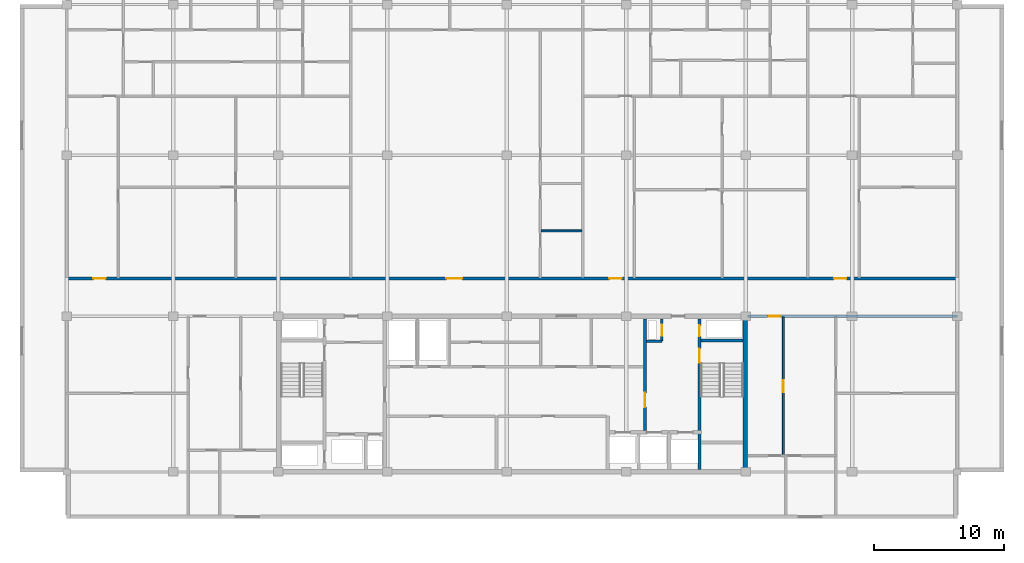
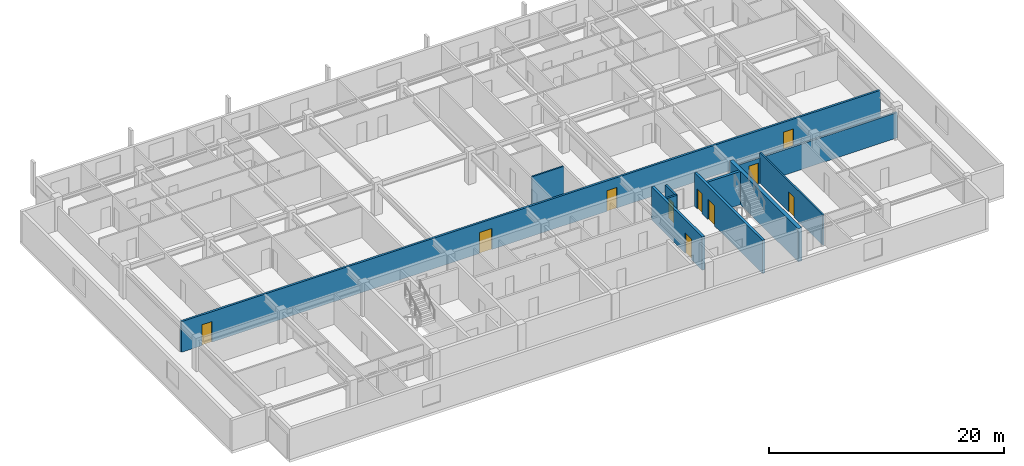
# One storey, part 5 of 10: 10 doors, 10 walls, 10 openings.
"""IFC4 building model written with IfcOpenShell, lengths in metres."""

from ifc_helpers import new_model, si_unit, direction, frame, frame_2d, origin, place, context, subcontext, project, spatial, rectangle, extrude, material, layer, layer_set, type_object, element, fill, save


model = new_model("IFC4")

# Units and contexts
model_context = context("Model", 3, precision=1e-05, world=origin(), true_north=direction((0.0, 1.0)))
body_context = subcontext(model_context, "Body", "Model", "MODEL_VIEW")
ifc_project = project(units=[si_unit("LENGTHUNIT", "METRE"), si_unit("AREAUNIT", "SQUARE_METRE"), si_unit("VOLUMEUNIT", "CUBIC_METRE"), si_unit("PLANEANGLEUNIT", "RADIAN"), si_unit("MASSUNIT", "GRAM", prefix="KILO")], contexts=[model_context])

# Site, building, storey
site_placement = place(None, origin())
site = spatial("IfcSite", under=ifc_project, at=site_placement, CompositionType="ELEMENT")
building_placement = place(site_placement, origin())
building = spatial("IfcBuilding", under=site, at=building_placement, Name="Korimba Cascade Residences", CompositionType="ELEMENT")
storey_placement = place(building_placement, frame((0.0, 0.0, 235.550048828125)))
storey = spatial("IfcBuildingStorey", under=building, at=storey_placement, Name="L68", CompositionType="ELEMENT", Elevation=235.550048828125)

# Wall
ifc_material_1 = material(Name="Concrete C65/80", Category="concrete")
ifc_layer_1 = layer(ifc_material_1, 0.35009765625)
ifc_layer_set_1 = layer_set([ifc_layer_1], Name="Concrete C65/80")
wall_type_1 = type_object("IfcWallType", Name="WAL-CORE-350", PredefinedType="SHEAR", material=ifc_layer_set_1)
wall_1_placement = place(storey_placement, frame((112.074951171875, 55.375, 0.0), z_axis=(0.0, 0.0, 1.0), x_axis=(0.0, 1.0, 0.0)))
element("IfcWall", 1, at=wall_1_placement, inside=storey, type_object=wall_type_1, Name="L68 Core Shear Wall CW-L68-T1-E", PredefinedType="SHEAR", context=body_context, shape_type="SweptSolid", body=[
    extrude(rectangle(XDim=11.64990234375, YDim=0.35009765625, at=frame_2d((5.824951171875, 0.0))), origin(), (0.0, 0.0, 1.0), 3.449951171875),
])

# Wall, opening, door
ifc_material_2 = material(Name="Precast concrete C40/50", Category="concrete")
ifc_layer_2 = layer(ifc_material_2, 0.199951171875)
ifc_layer_set_2 = layer_set([ifc_layer_2], Name="Precast concrete C40/50")
wall_type_2 = type_object("IfcWallType", Name="WAL-IT-200", PredefinedType="PARTITIONING", material=ifc_layer_set_2)
wall_2_placement = place(storey_placement, frame((112.25, 67.199951171875, 0.0), z_axis=(0.0, 0.0, 1.0), x_axis=(1.0, 0.0, 0.0)))
wall_2 = element("IfcWall", 2, at=wall_2_placement, inside=storey, type_object=wall_type_2, Name="L68 Partition Wall WAL-L68-T1-FE-N", PredefinedType="PARTITIONING", context=body_context, shape_type="SweptSolid", body=[
    extrude(rectangle(XDim=16.14990234375, YDim=0.199951171875, at=frame_2d((8.074951171875, 0.0))), origin(), (0.0, 0.0, 1.0), 2.63330078125),
])
opening_1_placement = place(wall_2_placement, frame((1.580078125, 0.0, 0.0)))
opening_1 = element("IfcOpeningElement", 3, at=opening_1_placement, cuts=wall_2, Name="Opening D-UN1", PredefinedType="OPENING", context=body_context, shape_type="SweptSolid", body=[
    extrude(rectangle(XDim=0.949951171875, YDim=2.14990234375, at=frame_2d((0.47509765625, 1.074951171875))), frame((0.0, 0.10986328125, 0.0), z_axis=(0.0, -1.0, 0.0), x_axis=(1.0, 0.0, 0.0)), (0.0, 0.0, 1.0), 0.219970703125),
])
ifc_material_3 = material(Name="Fire-Rated Hardwood Apartment Entrance Door", Category="wood")
door_type_1 = type_object("IfcDoorType", Name="DR-FD60-950", OperationType="NOTDEFINED", PredefinedType="DOOR", material=ifc_material_3)
door_1_placement = place(opening_1_placement, origin())
door_1 = element("IfcDoor", 4, at=door_1_placement, inside=storey, type_object=door_type_1, Name="L68-T1-FE Entrance Door", OperationType="SINGLE_SWING_RIGHT", OverallHeight=2.14990234375, OverallWidth=0.949951171875, PredefinedType="DOOR", context=body_context, shape_type="SweptSolid", body=[
    extrude(rectangle(XDim=0.949951171875, YDim=2.14990234375, at=frame_2d((0.47509765625, 1.074951171875))), frame((0.0, 0.02490234375, 0.0), z_axis=(0.0, -1.0, 0.0), x_axis=(1.0, 0.0, 0.0)), (0.0, 0.0, 1.0), 0.050048828125),
])
fill(opening_1, door_1)

# Wall, openings, doors
wall_3_placement = place(storey_placement, frame((59.800048828125, 70.10009765625, 0.0), z_axis=(0.0, 0.0, 1.0), x_axis=(1.0, 0.0, 0.0)))
wall_3 = element("IfcWall", 5, at=wall_3_placement, inside=storey, type_object=wall_type_2, Name="L68 Partition Wall WAL-L68-T1-CORN", PredefinedType="PARTITIONING", context=body_context, shape_type="SweptSolid", body=[
    extrude(rectangle(XDim=68.599853515625, YDim=0.199951171875, at=frame_2d((34.2998046875, 0.0))), origin(), (0.0, 0.0, 1.0), 3.169921875),
])
opening_2_placement = place(wall_3_placement, frame((2.044921875, 0.0, 0.0)))
opening_2 = element("IfcOpeningElement", 6, at=opening_2_placement, cuts=wall_3, Name="Opening D-UN1", PredefinedType="OPENING", context=body_context, shape_type="SweptSolid", body=[
    extrude(rectangle(XDim=0.949951171875, YDim=2.14990234375, at=frame_2d((0.47509765625, 1.074951171875))), frame((0.0, 0.10986328125, 0.0), z_axis=(0.0, -1.0, 0.0), x_axis=(1.0, 0.0, 0.0)), (0.0, 0.0, 1.0), 0.219970703125),
])
opening_3_placement = place(wall_3_placement, frame((29.246337890625, 0.0, 0.0)))
opening_3 = element("IfcOpeningElement", 7, at=opening_3_placement, cuts=wall_3, Name="Opening D-AM1", PredefinedType="OPENING", context=body_context, shape_type="SweptSolid", body=[
    extrude(rectangle(XDim=1.219970703125, YDim=2.179931640625, at=frame_2d((0.60986328125, 1.08984375))), frame((0.0, 0.10986328125, 0.0), z_axis=(0.0, -1.0, 0.0), x_axis=(1.0, 0.0, 0.0)), (0.0, 0.0, 1.0), 0.219970703125),
])
opening_4_placement = place(wall_3_placement, frame((41.800537109375, 0.0, 0.0)))
opening_4 = element("IfcOpeningElement", 8, at=opening_4_placement, cuts=wall_3, Name="Opening D-UN1", PredefinedType="OPENING", context=body_context, shape_type="SweptSolid", body=[
    extrude(rectangle(XDim=0.949951171875, YDim=2.14990234375, at=frame_2d((0.47509765625, 1.074951171875))), frame((0.0, 0.10986328125, 0.0), z_axis=(0.0, -1.0, 0.0), x_axis=(1.0, 0.0, 0.0)), (0.0, 0.0, 1.0), 0.219970703125),
])
opening_5_placement = place(wall_3_placement, frame((59.114501953125, 0.0, 0.0)))
opening_5 = element("IfcOpeningElement", 9, at=opening_5_placement, cuts=wall_3, Name="Opening D-UN1", PredefinedType="OPENING", context=body_context, shape_type="SweptSolid", body=[
    extrude(rectangle(XDim=0.949951171875, YDim=2.14990234375, at=frame_2d((0.47509765625, 1.074951171875))), frame((0.0, 0.10986328125, 0.0), z_axis=(0.0, -1.0, 0.0), x_axis=(1.0, 0.0, 0.0)), (0.0, 0.0, 1.0), 0.219970703125),
])
ifc_material_4 = material(Name="Fire-Rated Glazed Timber Suite Door", Category="wood")
door_type_2 = type_object("IfcDoorType", Name="DR-FD60-1200", OperationType="NOTDEFINED", PredefinedType="DOOR", material=ifc_material_4)
door_2_placement = place(opening_3_placement, origin())
door_2 = element("IfcDoor", 10, at=door_2_placement, inside=storey, type_object=door_type_2, Name="L68-T1-U02 Resident Conference Room Door", OperationType="SINGLE_SWING_LEFT", OverallHeight=2.179931640625, OverallWidth=1.219970703125, PredefinedType="DOOR", context=body_context, shape_type="SweptSolid", body=[
    extrude(rectangle(XDim=1.219970703125, YDim=2.179931640625, at=frame_2d((0.60986328125, 1.08984375))), frame((0.0, 0.02490234375, 0.0), z_axis=(0.0, -1.0, 0.0), x_axis=(1.0, 0.0, 0.0)), (0.0, 0.0, 1.0), 0.050048828125),
])
fill(opening_3, door_2)
door_3_placement = place(opening_2_placement, origin())
door_3 = element("IfcDoor", 11, at=door_3_placement, inside=storey, type_object=door_type_1, Name="Unit L68-T1-U01 Entrance Door", OperationType="SINGLE_SWING_RIGHT", OverallHeight=2.14990234375, OverallWidth=0.949951171875, PredefinedType="DOOR", context=body_context, shape_type="SweptSolid", body=[
    extrude(rectangle(XDim=0.949951171875, YDim=2.14990234375, at=frame_2d((0.47509765625, 1.074951171875))), frame((0.0, 0.02490234375, 0.0), z_axis=(0.0, -1.0, 0.0), x_axis=(1.0, 0.0, 0.0)), (0.0, 0.0, 1.0), 0.050048828125),
])
fill(opening_2, door_3)
door_4_placement = place(opening_4_placement, origin())
door_4 = element("IfcDoor", 12, at=door_4_placement, inside=storey, type_object=door_type_1, Name="Unit L68-T1-U03 Entrance Door", OperationType="SINGLE_SWING_RIGHT", OverallHeight=2.14990234375, OverallWidth=0.949951171875, PredefinedType="DOOR", context=body_context, shape_type="SweptSolid", body=[
    extrude(rectangle(XDim=0.949951171875, YDim=2.14990234375, at=frame_2d((0.47509765625, 1.074951171875))), frame((0.0, 0.02490234375, 0.0), z_axis=(0.0, -1.0, 0.0), x_axis=(1.0, 0.0, 0.0)), (0.0, 0.0, 1.0), 0.050048828125),
])
fill(opening_4, door_4)
door_5_placement = place(opening_5_placement, origin())
door_5 = element("IfcDoor", 13, at=door_5_placement, inside=storey, type_object=door_type_1, Name="Unit L68-T1-U04 Entrance Door", OperationType="SINGLE_SWING_LEFT", OverallHeight=2.14990234375, OverallWidth=0.949951171875, PredefinedType="DOOR", context=body_context, shape_type="SweptSolid", body=[
    extrude(rectangle(XDim=0.949951171875, YDim=2.14990234375, at=frame_2d((0.47509765625, 1.074951171875))), frame((0.0, 0.02490234375, 0.0), z_axis=(0.0, -1.0, 0.0), x_axis=(1.0, 0.0, 0.0)), (0.0, 0.0, 1.0), 0.050048828125),
])
fill(opening_5, door_5)

# Wall, opening, door
ifc_material_5 = material(Name="Insulated Acoustic Stud Partition", Category="gypsum")
ifc_layer_3 = layer(ifc_material_5, 0.14990234375)
ifc_layer_set_3 = layer_set([ifc_layer_3], Name="Insulated Acoustic Stud Partition")
wall_type_3 = type_object("IfcWallType", Name="WAL-PART-150", PredefinedType="PARTITIONING", material=ifc_layer_set_3)
wall_4_placement = place(storey_placement, frame((115.0, 56.449951171875, 0.0), z_axis=(0.0, 0.0, 1.0), x_axis=(0.0, 1.0, 0.0)))
wall_4 = element("IfcWall", 14, at=wall_4_placement, inside=storey, type_object=wall_type_3, Name="L68 Partition Wall WAL-L68-T1-FE-VN", PredefinedType="PARTITIONING", context=body_context, shape_type="SweptSolid", body=[
    extrude(rectangle(XDim=10.699951171875, YDim=0.14990234375, at=frame_2d((5.35009765625, 0.0))), origin(), (0.0, 0.0, 1.0), 3.169921875),
])
opening_6_placement = place(wall_4_placement, frame((4.889892578125, 0.0, 0.0)))
opening_6 = element("IfcOpeningElement", 15, at=opening_6_placement, cuts=wall_4, Name="Opening D-IN1", PredefinedType="OPENING", context=body_context, shape_type="SweptSolid", body=[
    extrude(rectangle(XDim=0.919921875, YDim=2.080078125, at=frame_2d((0.4599609375, 1.0400390625))), frame((0.0, 0.0849609375, 0.0), z_axis=(0.0, -1.0, 0.0), x_axis=(1.0, 0.0, 0.0)), (0.0, 0.0, 1.0), 0.169921875),
])
ifc_material_6 = material(Name="Acoustic Timber Living Door", Category="wood")
door_type_3 = type_object("IfcDoorType", Name="DR-INT-920", OperationType="NOTDEFINED", PredefinedType="DOOR", material=ifc_material_6)
door_6_placement = place(opening_6_placement, origin())
door_6 = element("IfcDoor", 16, at=door_6_placement, inside=storey, type_object=door_type_3, Name="L68-T1-FE Living Door", OperationType="SINGLE_SWING_LEFT", OverallHeight=2.080078125, OverallWidth=0.919921875, PredefinedType="DOOR", context=body_context, shape_type="SweptSolid", body=[
    extrude(rectangle(XDim=0.919921875, YDim=2.080078125, at=frame_2d((0.4599609375, 1.0400390625))), frame((0.0, 0.02490234375, 0.0), z_axis=(0.0, -1.0, 0.0), x_axis=(1.0, 0.0, 0.0)), (0.0, 0.0, 1.0), 0.050048828125),
])
fill(opening_6, door_6)

# Walls
wall_5_placement = place(storey_placement, frame((96.345703125, 73.77001953125, 0.0), z_axis=(0.0, 0.0, 1.0), x_axis=(1.0, 0.0, 0.0)))
element("IfcWall", 17, at=wall_5_placement, inside=storey, type_object=wall_type_3, Name="L68 Partition Wall WAL-L68-T1-U02-WCH", PredefinedType="PARTITIONING", context=body_context, shape_type="SweptSolid", body=[
    extrude(rectangle(XDim=3.1298828125, YDim=0.14990234375, at=frame_2d((1.56494140625, 0.0))), origin(), (0.0, 0.0, 1.0), 3.169921875),
])
ifc_material_7 = material(Name="Concrete C40/50", Category="concrete")
ifc_layer_4 = layer(ifc_material_7, 0.199951171875)
ifc_layer_set_4 = layer_set([ifc_layer_4], Name="Concrete C40/50")
wall_type_4 = type_object("IfcWallType", Name="WAL-PART-200", PredefinedType="PARTITIONING", material=ifc_layer_set_4)
wall_6_placement = place(storey_placement, frame((104.449951171875, 65.280029296875, 0.0), z_axis=(0.0, 0.0, 1.0), x_axis=(1.0, 0.0, 0.0)))
element("IfcWall", 18, at=wall_6_placement, inside=storey, type_object=wall_type_4, Name="L68 Partition Wall CW-L68-T1-HYDW2S", PredefinedType="PARTITIONING", context=body_context, shape_type="SweptSolid", body=[
    extrude(rectangle(XDim=1.199951171875, YDim=0.199951171875, at=frame_2d((0.60009765625, 0.0))), origin(), (0.0, 0.0, 1.0), 3.169921875),
])

# Wall, opening, door
wall_7_placement = place(storey_placement, frame((105.64990234375, 65.280029296875, 0.0), z_axis=(0.0, 0.0, 1.0), x_axis=(0.0, 1.0, 0.0)))
wall_7 = element("IfcWall", 19, at=wall_7_placement, inside=storey, type_object=wall_type_4, Name="L68 Partition Wall CW-L68-T1-HYDW2E", PredefinedType="PARTITIONING", context=body_context, shape_type="SweptSolid", body=[
    extrude(rectangle(XDim=1.719970703125, YDim=0.199951171875, at=frame_2d((0.85986328125, 0.0))), origin(), (0.0, 0.0, 1.0), 3.169921875),
])
opening_7_placement = place(wall_7_placement, frame((0.39990234375, 0.0, 0.0)))
opening_7 = element("IfcOpeningElement", 20, at=opening_7_placement, cuts=wall_7, Name="Opening D-RS1", PredefinedType="OPENING", context=body_context, shape_type="SweptSolid", body=[
    extrude(rectangle(XDim=0.85009765625, YDim=2.050048828125, at=frame_2d((0.425048828125, 1.02490234375))), frame((0.0, 0.10986328125, 0.0), z_axis=(0.0, -1.0, 0.0), x_axis=(1.0, 0.0, 0.0)), (0.0, 0.0, 1.0), 0.219970703125),
])
ifc_material_8 = material(Name="Fire-Rated Steel Riser Access Door", Category="steel")
door_type_4 = type_object("IfcDoorType", Name="DR-FD60-850", OperationType="NOTDEFINED", PredefinedType="DOOR", material=ifc_material_8)
door_7_placement = place(opening_7_placement, origin())
door_7 = element("IfcDoor", 21, at=door_7_placement, inside=storey, type_object=door_type_4, Name="L68 East Hydrant Door", OperationType="SINGLE_SWING_LEFT", OverallHeight=2.050048828125, OverallWidth=0.85009765625, PredefinedType="DOOR", context=body_context, shape_type="SweptSolid", body=[
    extrude(rectangle(XDim=0.85009765625, YDim=2.050048828125, at=frame_2d((0.425048828125, 1.02490234375))), frame((0.0, 0.02490234375, 0.0), z_axis=(0.0, -1.0, 0.0), x_axis=(1.0, 0.0, 0.0)), (0.0, 0.0, 1.0), 0.050048828125),
])
fill(opening_7, door_7)

ifc_material_9 = material(Name="Concrete C50/60", Category="concrete")
ifc_layer_5 = layer(ifc_material_9, 0.25)
ifc_layer_set_5 = layer_set([ifc_layer_5], Name="Concrete C50/60")
wall_type_5 = type_object("IfcWallType", Name="WAL-SHAFT-250", PredefinedType="SHEAR", material=ifc_layer_set_5)
wall_8_placement = place(storey_placement, frame((104.35009765625, 58.39990234375, 0.0), z_axis=(0.0, 0.0, 1.0), x_axis=(0.0, 1.0, 0.0)))
wall_8 = element("IfcWall", 22, at=wall_8_placement, inside=storey, type_object=wall_type_5, Name="L68 Core Shear Wall CW-L68-T1-LLEV", PredefinedType="SHEAR", context=body_context, shape_type="SweptSolid", body=[
    extrude(rectangle(XDim=8.60009765625, YDim=0.25, at=frame_2d((4.300048828125, 0.0))), origin(), (0.0, 0.0, 1.0), 3.449951171875),
])
opening_8_placement = place(wall_8_placement, frame((1.800048828125, 0.0, 0.0)))
opening_8 = element("IfcOpeningElement", 23, at=opening_8_placement, cuts=wall_8, Name="Opening D-FD1", PredefinedType="OPENING", context=body_context, shape_type="SweptSolid", body=[
    extrude(rectangle(XDim=1.10009765625, YDim=2.10009765625, at=frame_2d((0.550048828125, 1.050048828125))), frame((0.0, 0.135009765625, 0.0), z_axis=(0.0, -1.0, 0.0), x_axis=(1.0, 0.0, 0.0)), (0.0, 0.0, 1.0), 0.27001953125),
])
ifc_material_10 = material(Name="Fire-Rated Steel Core Door", Category="steel")
door_type_5 = type_object("IfcDoorType", Name="DR-FD120-1100", OperationType="NOTDEFINED", PredefinedType="DOOR", material=ifc_material_10)
door_8_placement = place(opening_8_placement, origin())
door_8 = element("IfcDoor", 24, at=door_8_placement, inside=storey, type_object=door_type_5, Name="L68 Lift Lobby to East Firefighting Lobby Door", OperationType="SINGLE_SWING_RIGHT", OverallHeight=2.10009765625, OverallWidth=1.10009765625, PredefinedType="DOOR", context=body_context, shape_type="SweptSolid", body=[
    extrude(rectangle(XDim=1.10009765625, YDim=2.10009765625, at=frame_2d((0.550048828125, 1.050048828125))), frame((0.0, 0.02490234375, 0.0), z_axis=(0.0, -1.0, 0.0), x_axis=(1.0, 0.0, 0.0)), (0.0, 0.0, 1.0), 0.050048828125),
])
fill(opening_8, door_8)

# Wall, openings, doors
wall_9_placement = place(storey_placement, frame((108.534912109375, 55.39990234375, 0.0), z_axis=(0.0, 0.0, 1.0), x_axis=(0.0, 1.0, 0.0)))
wall_9 = element("IfcWall", 25, at=wall_9_placement, inside=storey, type_object=wall_type_5, Name="L68 Core Shear Wall CW-L68-T1-STW2W", PredefinedType="SHEAR", context=body_context, shape_type="SweptSolid", body=[
    extrude(rectangle(XDim=11.60009765625, YDim=0.25, at=frame_2d((5.800048828125, 0.0))), origin(), (0.0, 0.0, 1.0), 3.449951171875),
])
opening_9_placement = place(wall_9_placement, frame((8.199951171875, 0.0, 0.0)))
opening_9 = element("IfcOpeningElement", 26, at=opening_9_placement, cuts=wall_9, Name="Opening D-FD1", PredefinedType="OPENING", context=body_context, shape_type="SweptSolid", body=[
    extrude(rectangle(XDim=1.10009765625, YDim=2.10009765625, at=frame_2d((0.550048828125, 1.050048828125))), frame((0.0, 0.135009765625, 0.0), z_axis=(0.0, -1.0, 0.0), x_axis=(1.0, 0.0, 0.0)), (0.0, 0.0, 1.0), 0.27001953125),
])
opening_10_placement = place(wall_9_placement, frame((10.25, 0.0, 0.0)))
opening_10 = element("IfcOpeningElement", 27, at=opening_10_placement, cuts=wall_9, Name="Opening D-RS1", PredefinedType="OPENING", context=body_context, shape_type="SweptSolid", body=[
    extrude(rectangle(XDim=0.85009765625, YDim=2.050048828125, at=frame_2d((0.425048828125, 1.02490234375))), frame((0.0, 0.135009765625, 0.0), z_axis=(0.0, -1.0, 0.0), x_axis=(1.0, 0.0, 0.0)), (0.0, 0.0, 1.0), 0.27001953125),
])
door_9_placement = place(opening_9_placement, origin())
door_9 = element("IfcDoor", 28, at=door_9_placement, inside=storey, type_object=door_type_5, Name="L68 Fire Stair ST-W2 Door", OperationType="SINGLE_SWING_LEFT", OverallHeight=2.10009765625, OverallWidth=1.10009765625, PredefinedType="DOOR", context=body_context, shape_type="SweptSolid", body=[
    extrude(rectangle(XDim=1.10009765625, YDim=2.10009765625, at=frame_2d((0.550048828125, 1.050048828125))), frame((0.0, 0.02490234375, 0.0), z_axis=(0.0, -1.0, 0.0), x_axis=(1.0, 0.0, 0.0)), (0.0, 0.0, 1.0), 0.050048828125),
])
fill(opening_9, door_9)
door_10_placement = place(opening_10_placement, origin())
door_10 = element("IfcDoor", 29, at=door_10_placement, inside=storey, type_object=door_type_4, Name="L68 East Riser Door", OperationType="SINGLE_SWING_RIGHT", OverallHeight=2.050048828125, OverallWidth=0.85009765625, PredefinedType="DOOR", context=body_context, shape_type="SweptSolid", body=[
    extrude(rectangle(XDim=0.85009765625, YDim=2.050048828125, at=frame_2d((0.425048828125, 1.02490234375))), frame((0.0, 0.02490234375, 0.0), z_axis=(0.0, -1.0, 0.0), x_axis=(1.0, 0.0, 0.0)), (0.0, 0.0, 1.0), 0.050048828125),
])
fill(opening_10, door_10)

# Wall
wall_10_placement = place(storey_placement, frame((108.659912109375, 65.324951171875, 0.0), z_axis=(0.0, 0.0, 1.0), x_axis=(1.0, 0.0, 0.0)))
element("IfcWall", 30, at=wall_10_placement, inside=storey, type_object=wall_type_5, Name="L68 Core Shear Wall CW-L68-T1-STW2N", PredefinedType="SHEAR", context=body_context, shape_type="SweptSolid", body=[
    extrude(rectangle(XDim=3.239990234375, YDim=0.25, at=frame_2d((1.6201171875, 0.0))), origin(), (0.0, 0.0, 1.0), 3.449951171875),
])

save(model, "model.ifc")
